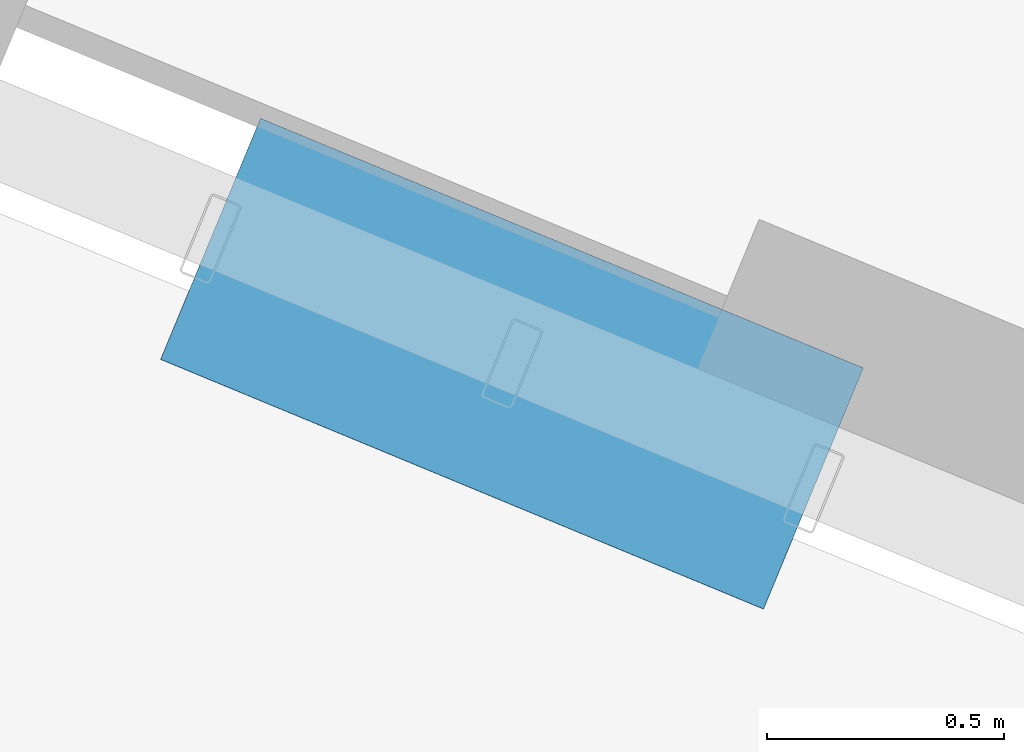
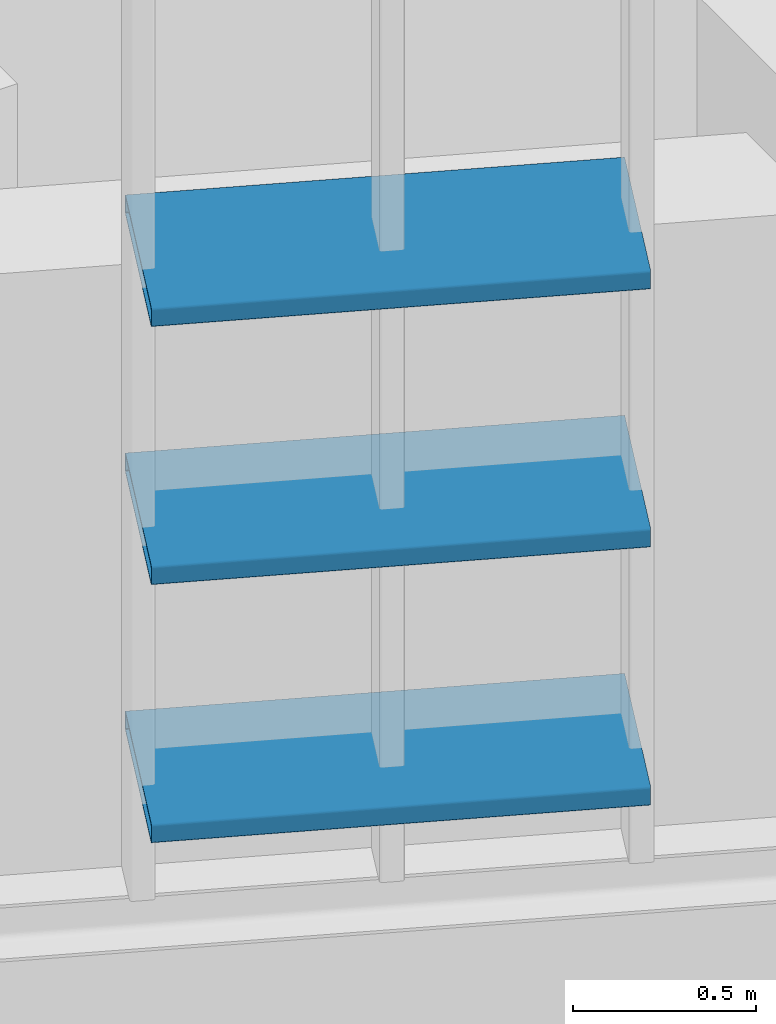
# One storey, part 30 of 372: 3 members.
"""IFC4 building model written with IfcOpenShell, lengths in metres."""

from ifc_helpers import new_model, si_unit, direction, frame, origin, origin_2d, place, context, subcontext, project, spatial, hollow_rectangle, extrude, material, material_profile, profile_set, type_object, element, save


model = new_model("IFC4")

# Units and contexts
model_context = context("Model", 3, precision=1e-05, world=origin(), true_north=direction((0.0, 1.0)))
body_context = subcontext(model_context, "Body", "Model", "MODEL_VIEW")
ifc_project = project(units=[si_unit("LENGTHUNIT", "METRE"), si_unit("AREAUNIT", "SQUARE_METRE"), si_unit("VOLUMEUNIT", "CUBIC_METRE"), si_unit("PLANEANGLEUNIT", "RADIAN"), si_unit("MASSUNIT", "GRAM", prefix="KILO")], contexts=[model_context])

# Site, building, storey
site_placement = place(None, origin())
site = spatial("IfcSite", under=ifc_project, at=site_placement, CompositionType="ELEMENT")
building_placement = place(site_placement, origin())
building = spatial("IfcBuilding", under=site, at=building_placement, Name="Kaelora Sail Theatre", CompositionType="ELEMENT")
storey_placement = place(building_placement, origin())
storey = spatial("IfcBuildingStorey", under=building, at=storey_placement, Name="L00", CompositionType="ELEMENT", Elevation=0.0)

# Members
ifc_material = material(Name="Anodised aluminium 6063-T6", Category="aluminium")
ifc_material_profile = material_profile(ifc_material, hollow_rectangle(XDim=0.550048828125, YDim=0.06494140625, WallThickness=0.00390625, InnerFilletRadius=0.00390625, OuterFilletRadius=0.008056640625, at=origin_2d()), Name="LOUVRE 550x65x4")
ifc_profile_set = profile_set([ifc_material_profile], Name="Anodised aluminium 6063-T6")
member_type = type_object("IfcMemberType", Name="ARC-MEM-LVR-300", PredefinedType="USERDEFINED", material=ifc_profile_set)
for number, where, z_axis, x_axis, name in (
    (1, (38.298583984375, 24.263671875, 3.449951171875), (-0.923925927829, 0.382571404949, 0.0), (-0.382571404949, -0.923925927829, 0.0), "Main Theatre Sail Drum horizontal solar louvre C13-01"),
    (2, (38.298583984375, 24.263671875, 4.31005859375), (-0.923925927829, 0.382571404949, 0.0), (-0.382571404949, -0.923925927829, 0.0), "Main Theatre Sail Drum horizontal solar louvre C13-02"),
    (3, (38.298583984375, 24.263671875, 5.169921875), (-0.923925927829, 0.382571404949, 0.0), (-0.382571404949, -0.923925927829, 0.0), "Main Theatre Sail Drum horizontal solar louvre C13-03"),
):
    element("IfcMember", number, at=place(storey_placement, frame(where, z_axis=z_axis, x_axis=x_axis)), inside=storey, type_object=member_type, Name=name, ObjectType="LOUVRE", PredefinedType="USERDEFINED", context=body_context, shape_type="SweptSolid", body=[
        extrude(hollow_rectangle(XDim=0.550048828125, YDim=0.06494140625, WallThickness=0.00390625, InnerFilletRadius=0.00390625, OuterFilletRadius=0.008056640625, at=origin_2d()), origin(), (0.0, 0.0, 1.0), 1.37451171875),
    ])

save(model, "model.ifc")
